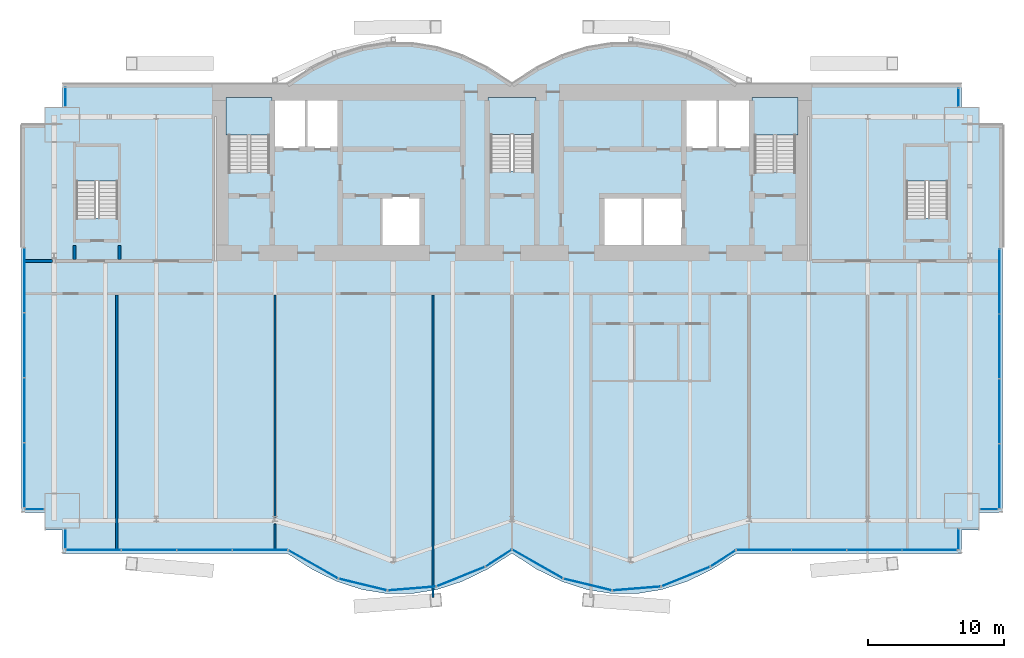
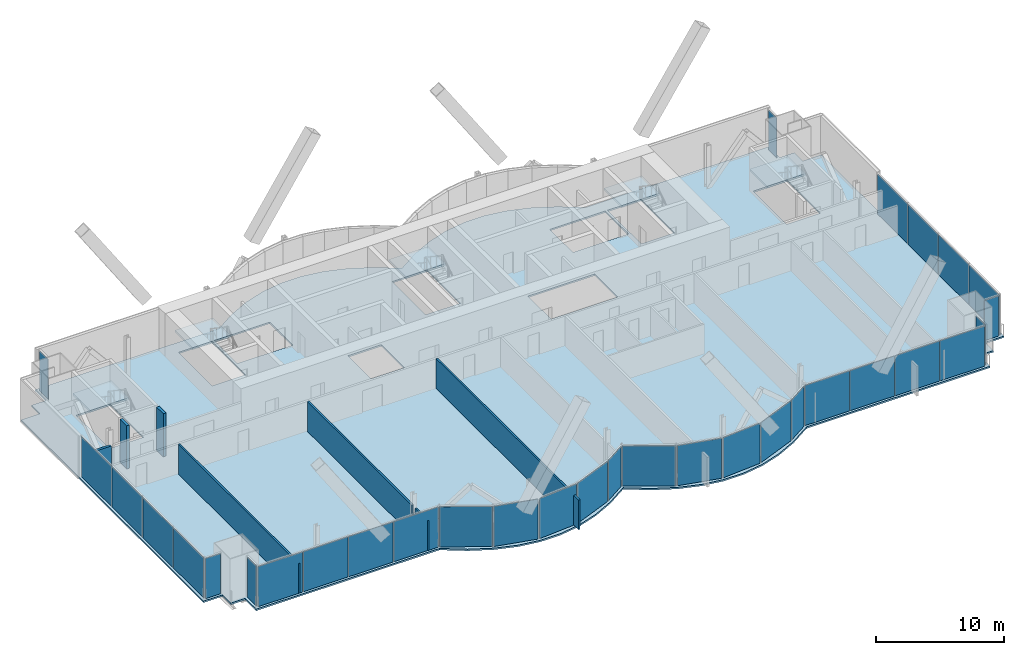
# One storey, part 15 of 22: 32 plates, 7 walls, 6 slabs, 17 elements without a shape of their own.
"""IFC4 building model written with IfcOpenShell, lengths in metres."""

import ifcopenshell
import ifcopenshell.guid

model = None  # the IFC model being written
_history = None  # IfcOwnerHistory: only IFC2X3 demands one
_inside = {}  # id of a spatial element -> (the spatial element, [elements in it])
_under = {}  # id of a project, library or spatial element -> (it, [spatial elements below it])
_declared = {}  # id of a project -> (the project, [libraries it declares])
_typed = {}  # id of a type object -> (the type object, [elements of that type])
_made_of = {}  # id of a material, layer set ... -> (it, [elements and type objects made of it])


def new_model(schema):
    """Start an empty IFC model of exactly this schema.

    Asked for "IFC4X3", IfcOpenShell would pick the latest addendum, in which some entities
    have other attributes; the version numbers below select the first issue.
    IFC2X3 requires an IfcOwnerHistory on every rooted entity: one is made here for all.
    """
    global model, _history
    if schema == "IFC4X3":
        model = ifcopenshell.file(schema_version=(4, 3, 0, 0))
    else:
        model = ifcopenshell.file(schema=schema)
    _inside.clear()
    _under.clear()
    _declared.clear()
    _typed.clear()
    _made_of.clear()
    _history = None
    if model.schema == "IFC2X3":
        org = make("IfcOrganization", Name="unknown")
        user = make(
            "IfcPersonAndOrganization",
            ThePerson=make("IfcPerson", FamilyName="unknown"),
            TheOrganization=org,
        )
        app = make(
            "IfcApplication",
            ApplicationDeveloper=org,
            Version="unknown",
            ApplicationFullName="unknown",
            ApplicationIdentifier="unknown",
        )
        _history = make(
            "IfcOwnerHistory",
            OwningUser=user,
            OwningApplication=app,
            ChangeAction="ADDED",
            CreationDate=0,
        )
    return model


def make(cls, **values):
    """One entity of the class cls with the attributes given. An attribute that is None is left unset."""
    return model.create_entity(
        cls, **{name: value for name, value in values.items() if value is not None}
    )


def rooted(cls, **values):
    """An entity with a GlobalId (a new one), such as an element, a storey or a relation."""
    return make(cls, GlobalId=ifcopenshell.guid.new(), OwnerHistory=_history, **values)


def si_unit(unit_type, name, prefix=None):
    """IfcSIUnit, for example si_unit("LENGTHUNIT", "METRE", prefix="MILLI")."""
    return make("IfcSIUnit", UnitType=unit_type, Prefix=prefix, Name=name)


def assignment(units):
    """IfcUnitAssignment: the units of a project."""
    return None if units is None else make("IfcUnitAssignment", Units=units)


def point(xyz):
    """IfcCartesianPoint."""
    return None if xyz is None else make("IfcCartesianPoint", Coordinates=xyz)


def direction(xyz):
    """IfcDirection."""
    return None if xyz is None else make("IfcDirection", DirectionRatios=xyz)


def frame(location, z_axis=None, x_axis=None):
    """IfcAxis2Placement3D, a coordinate frame: its origin and axes. An axis left out is left unset."""
    return make(
        "IfcAxis2Placement3D",
        Location=point(location),
        Axis=direction(z_axis),
        RefDirection=direction(x_axis),
    )


def frame_2d(location, x_axis=None):
    """IfcAxis2Placement2D, a coordinate frame in the plane: its origin and x axis."""
    return make(
        "IfcAxis2Placement2D", Location=point(location), RefDirection=direction(x_axis)
    )


def origin():
    """The frame at (0, 0, 0) with its axes left unset."""
    return frame((0.0, 0.0, 0.0))


def origin_2d():
    """The frame at (0, 0) in the plane with its x axis left unset."""
    return frame_2d((0.0, 0.0))


def place(relative_to, where):
    """IfcLocalPlacement: puts the frame where relative to a parent placement (None: the world)."""
    return make(
        "IfcLocalPlacement", PlacementRelTo=relative_to, RelativePlacement=where
    )


def context(
    kind, dimensions, precision=None, world=None, true_north=None, identifier=None
):
    """IfcGeometricRepresentationContext, for example the 3D "Model" context."""
    return make(
        "IfcGeometricRepresentationContext",
        ContextIdentifier=identifier,
        ContextType=kind,
        CoordinateSpaceDimension=dimensions,
        Precision=precision,
        WorldCoordinateSystem=world,
        TrueNorth=true_north,
    )


def subcontext(parent, identifier, kind, view, scale=None):
    """IfcGeometricRepresentationSubContext, for example "Body" below "Model"."""
    return make(
        "IfcGeometricRepresentationSubContext",
        ContextIdentifier=identifier,
        ContextType=kind,
        ParentContext=parent,
        TargetScale=scale,
        TargetView=view,
    )


def project(units=None, contexts=None):
    """IfcProject with its units and contexts."""
    return rooted(
        "IfcProject",
        Name="project",
        RepresentationContexts=contexts,
        UnitsInContext=assignment(units),
    )


def spatial(cls, under=None, at=None, **own):
    """A site, building, storey or space (cls), placed at a placement, below another one or the project."""
    s = rooted(cls, ObjectPlacement=at, **own)
    if under is not None:
        _under.setdefault(under.id(), (under, []))[1].append(s)
    return s


def polyline(points):
    """IfcPolyline through the points."""
    return make("IfcPolyline", Points=[point(p) for p in points])


def profile(cls, at=None, kind="AREA", **sizes):
    """A parametric profile (cls). Its sizes go by their IFC names, for example OverallWidth=200.0."""
    return make(cls, ProfileType=kind, Position=at, **sizes)


def rectangle(**sizes):
    """IfcRectangleProfileDef."""
    return profile("IfcRectangleProfileDef", **sizes)


def outline(outer, holes=None, kind="AREA"):
    """IfcArbitraryClosedProfileDef: a profile drawn as a closed curve; with holes, ...WithVoids."""
    if holes is None:
        return make("IfcArbitraryClosedProfileDef", ProfileType=kind, OuterCurve=outer)
    return make(
        "IfcArbitraryProfileDefWithVoids",
        ProfileType=kind,
        OuterCurve=outer,
        InnerCurves=holes,
    )


def extrude(swept, where, along, depth):
    """IfcExtrudedAreaSolid: the profile swept, set in the frame where, extruded along a direction by depth."""
    return make(
        "IfcExtrudedAreaSolid",
        SweptArea=swept,
        Position=where,
        ExtrudedDirection=direction(along),
        Depth=depth,
    )


def shape(context_of_items, identifier, shape_type, items):
    """IfcShapeRepresentation: the items that make up one representation, for example the "Body"."""
    return make(
        "IfcShapeRepresentation",
        ContextOfItems=context_of_items,
        RepresentationIdentifier=identifier,
        RepresentationType=shape_type,
        Items=items,
    )


def material(Name=None, Category=None):
    """IfcMaterial."""
    return make("IfcMaterial", Name=Name, Category=Category)


def layer(
    of_material, thickness, ventilated=None, Name=None, Category=None, Priority=None
):
    """IfcMaterialLayer: one layer of a wall or slab, of a material (None: an air gap)."""
    return make(
        "IfcMaterialLayer",
        Material=of_material,
        LayerThickness=thickness,
        IsVentilated=ventilated,
        Name=Name,
        Category=Category,
        Priority=Priority,
    )


def layer_set(layers, Name=None):
    """IfcMaterialLayerSet."""
    return make("IfcMaterialLayerSet", MaterialLayers=layers, LayerSetName=Name)


def made_of(thing, what):
    """Note that an element or type object is made of a material, layer set ...; save() writes the relation."""
    if what is not None:
        _made_of.setdefault(what.id(), (what, []))[1].append(thing)
    return thing


def type_object(cls, material=None, **own):
    """A type object (cls), such as IfcWallType, which elements share."""
    return made_of(rooted(cls, **own), material)


def element(
    cls,
    number,
    at=None,
    inside=None,
    cuts=None,
    type_object=None,
    material=None,
    context=None,
    identifier="Body",
    shape_type=None,
    held_by="IfcProductDefinitionShape",
    body=None,
    shapes=None,
    **own,
):
    """One element of the class cls, such as IfcWall. Its Tag is "e" and its number.

    at: its placement. inside: the storey or other place that contains it. cuts: it is an
    opening in that element (IfcRelVoidsElement). A single representation is given by context,
    identifier, shape_type and body (its items); several are given by shapes. held_by: the class
    of the entity that holds the representations. save() writes the other relations.
    """
    e = rooted(cls, Tag="e%d" % number, ObjectPlacement=at, **own)
    if body is not None:
        shapes = [shape(context, identifier, shape_type, body)]
    if shapes is not None:
        e.Representation = make(held_by, Representations=shapes)
    if inside is not None:
        _inside.setdefault(inside.id(), (inside, []))[1].append(e)
    if cuts is not None:
        rooted(
            "IfcRelVoidsElement", RelatingBuildingElement=cuts, RelatedOpeningElement=e
        )
    if type_object is not None:
        _typed.setdefault(type_object.id(), (type_object, []))[1].append(e)
    return made_of(e, material)


def aggregate(whole, parts):
    """IfcRelAggregates: a whole, such as a stair, and the parts it consists of."""
    return rooted("IfcRelAggregates", RelatingObject=whole, RelatedObjects=parts)


def save(model, path):
    """Write the relations noted so far, then the file.

    IfcRelAggregates (storeys below a building ...), IfcRelContainedInSpatialStructure (elements
    in a storey), IfcRelDefinesByType, IfcRelAssociatesMaterial and IfcRelDeclares: one each for
    every whole, place, type object, material and project.
    """
    for whole, parts in _under.values():
        aggregate(whole, parts)
    for where, things in _inside.values():
        rooted(
            "IfcRelContainedInSpatialStructure",
            RelatedElements=things,
            RelatingStructure=where,
        )
    for kind, things in _typed.values():
        rooted("IfcRelDefinesByType", RelatedObjects=things, RelatingType=kind)
    for what, things in _made_of.values():
        rooted("IfcRelAssociatesMaterial", RelatedObjects=things, RelatingMaterial=what)
    for by, libraries in _declared.values():
        rooted("IfcRelDeclares", RelatingContext=by, RelatedDefinitions=libraries)
    model.write(path)


model = new_model("IFC4")

# Units and contexts
model_context = context("Model", 3, precision=1e-05, world=origin(), true_north=direction((0.0, 1.0)))
body_context = subcontext(model_context, "Body", "Model", "MODEL_VIEW")
ifc_project = project(units=[si_unit("LENGTHUNIT", "METRE"), si_unit("AREAUNIT", "SQUARE_METRE"), si_unit("VOLUMEUNIT", "CUBIC_METRE"), si_unit("PLANEANGLEUNIT", "RADIAN"), si_unit("MASSUNIT", "GRAM", prefix="KILO")], contexts=[model_context])

# Site, building, storey
site_placement = place(None, origin())
site = spatial("IfcSite", under=ifc_project, at=site_placement, CompositionType="ELEMENT")
building_placement = place(site_placement, origin())
building = spatial("IfcBuilding", under=site, at=building_placement, Name="Bicima Exchange Tower", CompositionType="ELEMENT")
storey_placement = place(building_placement, frame((0.0, 0.0, 169.10009765625)))
storey = spatial("IfcBuildingStorey", under=building, at=storey_placement, Name="L37", CompositionType="ELEMENT", Elevation=169.10009765625)

# Slab
ifc_material_1 = material(Name="Concrete C40/50", Category="concrete")
ifc_layer_1 = layer(ifc_material_1, 0.14990234375)
ifc_layer_set_1 = layer_set([ifc_layer_1], Name="Concrete C40/50")
slab_type_1 = type_object("IfcSlabType", Name="Composite floor slab 150", PredefinedType="FLOOR", material=ifc_layer_set_1)
slab_1_placement = place(storey_placement, frame((0.0, 0.0, -0.150146484375)))
element("IfcSlab", 1, at=slab_1_placement, inside=storey, type_object=slab_type_1, Name="Floor slab", PredefinedType="FLOOR", context=body_context, shape_type="SweptSolid", body=[
    extrude(outline(polyline([(-36.0, -31.43603515625), (-36.0, -3.0), (-34.300048828125, -3.0), (-34.300048828125, -1.699951171875), (-33.0, -1.699951171875), (-33.0, 0.0), (-16.5, 0.0), (-14.666748046875, 1.185302734375), (-12.833251953125, 2.07421875), (-11.0, 2.666748046875), (-9.166748046875, 2.962890625), (-7.333251953125, 2.962890625), (-5.5, 2.666748046875), (-3.666748046875, 2.07421875), (-1.833251953125, 1.185302734375), (0.0, 0.0), (1.833251953125, 1.185302734375), (3.666748046875, 2.07421875), (5.5, 2.666748046875), (7.333251953125, 2.962890625), (9.166748046875, 2.962890625), (11.0, 2.666748046875), (12.833251953125, 2.07421875), (14.666748046875, 1.185302734375), (16.5, 0.0), (33.0, 0.0), (33.0, -1.699951171875), (34.300048828125, -1.699951171875), (34.300048828125, -3.0), (36.0, -3.0), (36.0, -31.43603515625), (34.300048828125, -31.43603515625), (34.300048828125, -32.736083984375), (33.0, -32.736083984375), (33.0, -34.43603515625), (16.5, -34.43603515625), (14.666748046875, -35.62109375), (12.833251953125, -36.510009765625), (11.0, -37.102783203125), (9.166748046875, -37.39892578125), (7.333251953125, -37.39892578125), (5.5, -37.102783203125), (3.666748046875, -36.510009765625), (1.833251953125, -35.62109375), (0.0, -34.43603515625), (-1.833251953125, -35.62109375), (-3.666748046875, -36.510009765625), (-5.5, -37.102783203125), (-7.333251953125, -37.39892578125), (-9.166748046875, -37.39892578125), (-11.0, -37.102783203125), (-12.833251953125, -36.510009765625), (-14.666748046875, -35.62109375), (-16.5, -34.43603515625), (-33.0, -34.43603515625), (-33.0, -32.736083984375), (-34.300048828125, -32.736083984375), (-34.300048828125, -31.43603515625), (-36.0, -31.43603515625)]), holes=[polyline([(-6.60009765625, -11.800048828125), (-6.60009765625, -8.199951171875), (-9.60009765625, -8.199951171875), (-9.60009765625, -11.800048828125), (-6.60009765625, -11.800048828125)]), polyline([(-31.97509765625, -9.824951171875), (-28.925048828125, -9.824951171875), (-28.925048828125, -4.625), (-31.97509765625, -4.625), (-31.97509765625, -9.824951171875)]), polyline([(-20.800048828125, -6.449951171875), (-17.800048828125, -6.449951171875), (-17.800048828125, -1.199951171875), (-20.800048828125, -1.199951171875), (-20.800048828125, -6.449951171875)]), polyline([(1.574951171875, -6.39990234375), (1.574951171875, -1.199951171875), (-1.574951171875, -1.199951171875), (-1.574951171875, -6.39990234375), (1.574951171875, -6.39990234375)]), polyline([(-12.60009765625, -4.800048828125), (-12.60009765625, -1.199951171875), (-15.10009765625, -1.199951171875), (-17.60009765625, -1.199951171875), (-17.60009765625, -4.800048828125), (-15.10009765625, -4.800048828125), (-12.60009765625, -4.800048828125)]), polyline([(12.60009765625, -8.199951171875), (9.60009765625, -8.199951171875), (6.60009765625, -8.199951171875), (6.60009765625, -11.800048828125), (9.60009765625, -11.800048828125), (12.60009765625, -11.800048828125), (12.60009765625, -8.199951171875)]), polyline([(28.925048828125, -9.824951171875), (31.97509765625, -9.824951171875), (31.97509765625, -4.625), (28.925048828125, -4.625), (28.925048828125, -9.824951171875)]), polyline([(20.800048828125, -6.449951171875), (20.800048828125, -1.199951171875), (17.800048828125, -1.199951171875), (17.800048828125, -6.449951171875), (20.800048828125, -6.449951171875)]), polyline([(17.60009765625, -4.800048828125), (17.60009765625, -1.199951171875), (15.10009765625, -1.199951171875), (12.60009765625, -1.199951171875), (12.60009765625, -4.800048828125), (15.10009765625, -4.800048828125), (17.60009765625, -4.800048828125)])]), origin(), (0.0, 0.0, 1.0), 0.150146484375),
])

# Curtain wall, plate
ifc_material_2 = material(Name="Anodised bronze aluminium", Category="aluminium")
curtain_wall_type_1 = type_object("IfcCurtainWallType", Name="End face glass wall", PredefinedType="NOTDEFINED", material=ifc_material_2)
curtain_wall_1_placement = place(storey_placement, origin())
curtain_wall_1 = element("IfcCurtainWall", 2, at=curtain_wall_1_placement, inside=storey, type_object=curtain_wall_type_1, Name="End face glass wall L37 run 2", PredefinedType="NOTDEFINED")
ifc_material_3 = material(Name="Bronze tinted glass", Category="glass")
ifc_layer_2 = layer(ifc_material_3, 0.031982421875)
ifc_layer_set_2 = layer_set([ifc_layer_2], Name="Bronze tinted glass")
plate_type_1 = type_object("IfcPlateType", Name="End face glass wall glass panel 32", PredefinedType="CURTAIN_PANEL", material=ifc_layer_set_2)
plate_1_placement = place(storey_placement, frame((-35.77001953125, -28.712646484375, -0.000244140625), z_axis=(0.0, 0.0, 1.0), x_axis=(0.0, -1.0, 0.0)))
plate_1 = element("IfcPlate", 3, at=plate_1_placement, type_object=plate_type_1, Name="End face glass wall panel 4.1", PredefinedType="CURTAIN_PANEL", context=body_context, shape_type="SweptSolid", body=[
    extrude(rectangle(XDim=4.70654296875, YDim=0.031982421875, at=origin_2d()), origin(), (0.0, 0.0, 1.0), 3.81005859375),
])

curtain_wall_2_placement = place(storey_placement, origin())
curtain_wall_2 = element("IfcCurtainWall", 4, at=curtain_wall_2_placement, inside=storey, type_object=curtain_wall_type_1, Name="End face glass wall L37 run 19", PredefinedType="NOTDEFINED")
plate_2_placement = place(storey_placement, frame((35.77001953125, -28.792724609375, -0.000244140625), z_axis=(0.0, 0.0, 1.0), x_axis=(0.0, 1.0, 0.0)))
plate_2 = element("IfcPlate", 5, at=plate_2_placement, type_object=plate_type_1, Name="End face glass wall panel 1.1", PredefinedType="CURTAIN_PANEL", context=body_context, shape_type="SweptSolid", body=[
    extrude(rectangle(XDim=4.70654296875, YDim=0.031982421875, at=origin_2d()), origin(), (0.0, 0.0, 1.0), 3.81005859375),
])

# Plate
ifc_material_4 = material(Name="Bronze anodised aluminium", Category="aluminium")
ifc_layer_3 = layer(ifc_material_4, 0.031982421875)
ifc_layer_set_3 = layer_set([ifc_layer_3], Name="Bronze anodised aluminium")
plate_type_2 = type_object("IfcPlateType", Name="End face glass wall spandrel panel 32", PredefinedType="CURTAIN_PANEL", material=ifc_layer_set_3)
plate_3_placement = place(storey_placement, frame((-35.77001953125, -14.4130859375, -0.000244140625), z_axis=(0.0, 0.0, 1.0), x_axis=(0.0, -1.0, 0.0)))
plate_3 = element("IfcPlate", 6, at=plate_3_placement, type_object=plate_type_2, Name="End face spandrel wall panel 1.1", PredefinedType="CURTAIN_PANEL", context=body_context, shape_type="SweptSolid", body=[
    extrude(rectangle(XDim=4.70654296875, YDim=0.031982421875, at=origin_2d()), origin(), (0.0, 0.0, 1.0), 3.81005859375),
])

plate_4_placement = place(storey_placement, frame((-35.77001953125, -19.1796875, -0.000244140625), z_axis=(0.0, 0.0, 1.0), x_axis=(0.0, -1.0, 0.0)))
plate_4 = element("IfcPlate", 7, at=plate_4_placement, type_object=plate_type_2, Name="End face spandrel wall panel 2.1", PredefinedType="CURTAIN_PANEL", context=body_context, shape_type="SweptSolid", body=[
    extrude(rectangle(XDim=4.70654296875, YDim=0.031982421875, at=origin_2d()), origin(), (0.0, 0.0, 1.0), 3.81005859375),
])

plate_5_placement = place(storey_placement, frame((-35.77001953125, -23.9462890625, -0.000244140625), z_axis=(0.0, 0.0, 1.0), x_axis=(0.0, -1.0, 0.0)))
plate_5 = element("IfcPlate", 8, at=plate_5_placement, type_object=plate_type_2, Name="End face spandrel wall panel 3.1", PredefinedType="CURTAIN_PANEL", context=body_context, shape_type="SweptSolid", body=[
    extrude(rectangle(XDim=4.70654296875, YDim=0.031982421875, at=origin_2d()), origin(), (0.0, 0.0, 1.0), 3.81005859375),
])

aggregate(curtain_wall_1, [plate_3, plate_4, plate_5, plate_1])

plate_6_placement = place(storey_placement, frame((35.77001953125, -24.0263671875, -0.000244140625), z_axis=(0.0, 0.0, 1.0), x_axis=(0.0, 1.0, 0.0)))
plate_6 = element("IfcPlate", 9, at=plate_6_placement, type_object=plate_type_2, Name="End face spandrel wall panel 2.1", PredefinedType="CURTAIN_PANEL", context=body_context, shape_type="SweptSolid", body=[
    extrude(rectangle(XDim=4.70654296875, YDim=0.031982421875, at=origin_2d()), origin(), (0.0, 0.0, 1.0), 3.81005859375),
])

plate_7_placement = place(storey_placement, frame((35.77001953125, -19.259765625, -0.000244140625), z_axis=(0.0, 0.0, 1.0), x_axis=(0.0, 1.0, 0.0)))
plate_7 = element("IfcPlate", 10, at=plate_7_placement, type_object=plate_type_2, Name="End face spandrel wall panel 3.1", PredefinedType="CURTAIN_PANEL", context=body_context, shape_type="SweptSolid", body=[
    extrude(rectangle(XDim=4.70654296875, YDim=0.031982421875, at=origin_2d()), origin(), (0.0, 0.0, 1.0), 3.81005859375),
])

plate_8_placement = place(storey_placement, frame((35.77001953125, -14.493408203125, -0.000244140625), z_axis=(0.0, 0.0, 1.0), x_axis=(0.0, 1.0, 0.0)))
plate_8 = element("IfcPlate", 11, at=plate_8_placement, type_object=plate_type_2, Name="End face spandrel wall panel 4.1", PredefinedType="CURTAIN_PANEL", context=body_context, shape_type="SweptSolid", body=[
    extrude(rectangle(XDim=4.70654296875, YDim=0.031982421875, at=origin_2d()), origin(), (0.0, 0.0, 1.0), 3.81005859375),
])

aggregate(curtain_wall_2, [plate_2, plate_6, plate_7, plate_8])

# Curtain wall, plate
curtain_wall_type_2 = type_object("IfcCurtainWallType", Name="Front glass wall", PredefinedType="NOTDEFINED", material=ifc_material_2)
curtain_wall_3_placement = place(storey_placement, origin())
curtain_wall_3 = element("IfcCurtainWall", 12, at=curtain_wall_3_placement, inside=storey, type_object=curtain_wall_type_2, Name="Front glass wall L37 run 1", PredefinedType="NOTDEFINED")
ifc_layer_4 = layer(ifc_material_3, 0.031982421875)
ifc_layer_set_4 = layer_set([ifc_layer_4], Name="Bronze tinted glass")
plate_type_3 = type_object("IfcPlateType", Name="Front glass wall glass panel 32", PredefinedType="CURTAIN_PANEL", material=ifc_layer_set_4)
plate_9_placement = place(storey_placement, frame((-32.77001953125, -0.965087890625, -0.000244140625), z_axis=(0.0, 0.0, 1.0), x_axis=(0.0, -1.0, 0.0)))
plate_9 = element("IfcPlate", 13, at=plate_9_placement, type_object=plate_type_3, Name="Front glass wall panel 1.1", PredefinedType="CURTAIN_PANEL", context=body_context, shape_type="SweptSolid", body=[
    extrude(rectangle(XDim=1.35009765625, YDim=0.031982421875, at=origin_2d()), origin(), (0.0, 0.0, 1.0), 3.81005859375),
])
aggregate(curtain_wall_3, [plate_9])

curtain_wall_4_placement = place(storey_placement, origin())
curtain_wall_4 = element("IfcCurtainWall", 14, at=curtain_wall_4_placement, inside=storey, type_object=curtain_wall_type_2, Name="Front glass wall L37 run 3", PredefinedType="NOTDEFINED")
plate_10_placement = place(storey_placement, frame((-35.034912109375, -31.2060546875, -0.000244140625), z_axis=(0.0, 0.0, 1.0), x_axis=(1.0, 0.0, 0.0)))
plate_10 = element("IfcPlate", 15, at=plate_10_placement, type_object=plate_type_3, Name="Front glass wall panel 1.1", PredefinedType="CURTAIN_PANEL", context=body_context, shape_type="SweptSolid", body=[
    extrude(rectangle(XDim=1.35009765625, YDim=0.031982421875, at=origin_2d()), origin(), (0.0, 0.0, 1.0), 3.81005859375),
])
aggregate(curtain_wall_4, [plate_10])

curtain_wall_5_placement = place(storey_placement, origin())
curtain_wall_5 = element("IfcCurtainWall", 16, at=curtain_wall_5_placement, inside=storey, type_object=curtain_wall_type_2, Name="Front glass wall L37 run 4", PredefinedType="NOTDEFINED")
plate_11_placement = place(storey_placement, frame((-32.77001953125, -33.3701171875, -0.000244140625), z_axis=(0.0, 0.0, 1.0), x_axis=(0.0, -1.0, 0.0)))
plate_11 = element("IfcPlate", 17, at=plate_11_placement, type_object=plate_type_3, Name="Front glass wall panel 1.1", PredefinedType="CURTAIN_PANEL", context=body_context, shape_type="SweptSolid", body=[
    extrude(rectangle(XDim=1.39208984375, YDim=0.031982421875, at=origin_2d()), origin(), (0.0, 0.0, 1.0), 3.81005859375),
])
aggregate(curtain_wall_5, [plate_11])

# Curtain wall, plates
curtain_wall_6_placement = place(storey_placement, origin())
curtain_wall_6 = element("IfcCurtainWall", 18, at=curtain_wall_6_placement, inside=storey, type_object=curtain_wall_type_2, Name="Front glass wall L37 run 5", PredefinedType="NOTDEFINED")
plate_12_placement = place(storey_placement, frame((-30.705322265625, -34.2060546875, -0.000244140625), z_axis=(0.0, 0.0, 1.0), x_axis=(1.0, 0.0, 0.0)))
plate_12 = element("IfcPlate", 19, at=plate_12_placement, type_object=plate_type_3, Name="Front glass wall panel 1.1", PredefinedType="CURTAIN_PANEL", context=body_context, shape_type="SweptSolid", body=[
    extrude(rectangle(XDim=4.009521484375, YDim=0.031982421875, at=origin_2d()), origin(), (0.0, 0.0, 1.0), 3.81005859375),
])
plate_13_placement = place(storey_placement, frame((-26.6357421875, -34.2060546875, -0.000244140625), z_axis=(0.0, 0.0, 1.0), x_axis=(1.0, 0.0, 0.0)))
plate_13 = element("IfcPlate", 20, at=plate_13_placement, type_object=plate_type_3, Name="Front glass wall panel 2.1", PredefinedType="CURTAIN_PANEL", context=body_context, shape_type="SweptSolid", body=[
    extrude(rectangle(XDim=4.009521484375, YDim=0.031982421875, at=origin_2d()), origin(), (0.0, 0.0, 1.0), 3.81005859375),
])

curtain_wall_7_placement = place(storey_placement, origin())
curtain_wall_7 = element("IfcCurtainWall", 21, at=curtain_wall_7_placement, inside=storey, type_object=curtain_wall_type_2, Name="Front glass wall L37 run 6", PredefinedType="NOTDEFINED")
plate_14_placement = place(storey_placement, frame((-7.35107421875, -37.023681640625, -0.000244140625), z_axis=(0.0, 0.0, 1.0), x_axis=(0.99674744821, 0.080588612633, 0.0)))
plate_14 = element("IfcPlate", 22, at=plate_14_placement, type_object=plate_type_3, Name="Front glass wall panel 1.1", PredefinedType="CURTAIN_PANEL", context=body_context, shape_type="SweptSolid", body=[
    extrude(rectangle(XDim=3.486083984375, YDim=0.031982421875, at=origin_2d()), origin(), (0.0, 0.0, 1.0), 3.81005859375),
])
plate_15_placement = place(storey_placement, frame((-3.750244140625, -36.1494140625, -0.000244140625), z_axis=(0.0, 0.0, 1.0), x_axis=(0.92714396679, 0.374705304, 0.0)))
plate_15 = element("IfcPlate", 23, at=plate_15_placement, type_object=plate_type_3, Name="Front glass wall panel 1.1", PredefinedType="CURTAIN_PANEL", context=body_context, shape_type="SweptSolid", body=[
    extrude(rectangle(XDim=3.771240234375, YDim=0.031982421875, at=origin_2d()), origin(), (0.0, 0.0, 1.0), 3.81005859375),
])
plate_16_placement = place(storey_placement, frame((-0.97314453125, -34.791259765625, -0.000244140625), z_axis=(0.0, 0.0, 1.0), x_axis=(0.839798994301, 0.542897457326, 0.0)))
plate_16 = element("IfcPlate", 24, at=plate_16_placement, type_object=plate_type_3, Name="Front glass wall panel 1.1", PredefinedType="CURTAIN_PANEL", context=body_context, shape_type="SweptSolid", body=[
    extrude(rectangle(XDim=2.197509765625, YDim=0.031982421875, at=origin_2d()), origin(), (0.0, 0.0, 1.0), 3.81005859375),
])

curtain_wall_8_placement = place(storey_placement, origin())
curtain_wall_8 = element("IfcCurtainWall", 25, at=curtain_wall_8_placement, inside=storey, type_object=curtain_wall_type_2, Name="Front glass wall L37 run 11", PredefinedType="NOTDEFINED")
plate_17_placement = place(storey_placement, frame((1.876220703125, -35.229248046875, -0.000244140625), z_axis=(0.0, 0.0, 1.0), x_axis=(0.869274147378, -0.494330311331, 0.0)))
plate_17 = element("IfcPlate", 26, at=plate_17_placement, type_object=plate_type_3, Name="Front glass wall panel 1.1", PredefinedType="CURTAIN_PANEL", context=body_context, shape_type="SweptSolid", body=[
    extrude(rectangle(XDim=4.197021484375, YDim=0.031982421875, at=origin_2d()), origin(), (0.0, 0.0, 1.0), 3.81005859375),
])
plate_18_placement = place(storey_placement, frame((5.55224609375, -36.732666015625, -0.000244140625), z_axis=(0.0, 0.0, 1.0), x_axis=(0.971830343553, -0.235681529503, 0.0)))
plate_18 = element("IfcPlate", 27, at=plate_18_placement, type_object=plate_type_3, Name="Front glass wall panel 1.1", PredefinedType="CURTAIN_PANEL", context=body_context, shape_type="SweptSolid", body=[
    extrude(rectangle(XDim=3.583251953125, YDim=0.031982421875, at=origin_2d()), origin(), (0.0, 0.0, 1.0), 3.81005859375),
])
plate_19_placement = place(storey_placement, frame((9.14892578125, -37.023681640625, -0.000244140625), z_axis=(0.0, 0.0, 1.0), x_axis=(0.99674744821, 0.080588612633, 0.0)))
plate_19 = element("IfcPlate", 28, at=plate_19_placement, type_object=plate_type_3, Name="Front glass wall panel 1.1", PredefinedType="CURTAIN_PANEL", context=body_context, shape_type="SweptSolid", body=[
    extrude(rectangle(XDim=3.486083984375, YDim=0.031982421875, at=origin_2d()), origin(), (0.0, 0.0, 1.0), 3.81005859375),
])
plate_20_placement = place(storey_placement, frame((15.492919921875, -34.813232421875, -0.000244140625), z_axis=(0.0, 0.0, 1.0), x_axis=(0.839791413941, 0.542909183079, 0.0)))
plate_20 = element("IfcPlate", 29, at=plate_20_placement, type_object=plate_type_3, Name="Front glass wall panel 1.1", PredefinedType="CURTAIN_PANEL", context=body_context, shape_type="SweptSolid", body=[
    extrude(rectangle(XDim=2.11669921875, YDim=0.031982421875, at=origin_2d()), origin(), (0.0, 0.0, 1.0), 3.81005859375),
])

curtain_wall_9_placement = place(storey_placement, origin())
curtain_wall_9 = element("IfcCurtainWall", 30, at=curtain_wall_9_placement, inside=storey, type_object=curtain_wall_type_2, Name="Front glass wall L37 run 16", PredefinedType="NOTDEFINED")
plate_21_placement = place(storey_placement, frame((26.585693359375, -34.2060546875, -0.000244140625), z_axis=(0.0, 0.0, 1.0), x_axis=(1.0, 0.0, 0.0)))
plate_21 = element("IfcPlate", 31, at=plate_21_placement, type_object=plate_type_3, Name="Front glass wall panel 3.1", PredefinedType="CURTAIN_PANEL", context=body_context, shape_type="SweptSolid", body=[
    extrude(rectangle(XDim=3.989501953125, YDim=0.031982421875, at=origin_2d()), origin(), (0.0, 0.0, 1.0), 3.81005859375),
])
plate_22_placement = place(storey_placement, frame((30.63525390625, -34.2060546875, -0.000244140625), z_axis=(0.0, 0.0, 1.0), x_axis=(1.0, 0.0, 0.0)))
plate_22 = element("IfcPlate", 32, at=plate_22_placement, type_object=plate_type_3, Name="Front glass wall panel 4.1", PredefinedType="CURTAIN_PANEL", context=body_context, shape_type="SweptSolid", body=[
    extrude(rectangle(XDim=3.989501953125, YDim=0.031982421875, at=origin_2d()), origin(), (0.0, 0.0, 1.0), 3.81005859375),
])

# Curtain wall, plate
curtain_wall_10_placement = place(storey_placement, origin())
curtain_wall_10 = element("IfcCurtainWall", 33, at=curtain_wall_10_placement, inside=storey, type_object=curtain_wall_type_2, Name="Front glass wall L37 run 17", PredefinedType="NOTDEFINED")
plate_23_placement = place(storey_placement, frame((32.77001953125, -33.409912109375, -0.000244140625), z_axis=(0.0, 0.0, 1.0), x_axis=(0.0, 1.0, 0.0)))
plate_23 = element("IfcPlate", 34, at=plate_23_placement, type_object=plate_type_3, Name="Front glass wall panel 1.1", PredefinedType="CURTAIN_PANEL", context=body_context, shape_type="SweptSolid", body=[
    extrude(rectangle(XDim=1.471923828125, YDim=0.031982421875, at=origin_2d()), origin(), (0.0, 0.0, 1.0), 3.81005859375),
])
aggregate(curtain_wall_10, [plate_23])

curtain_wall_11_placement = place(storey_placement, origin())
curtain_wall_11 = element("IfcCurtainWall", 35, at=curtain_wall_11_placement, inside=storey, type_object=curtain_wall_type_2, Name="Front glass wall L37 run 18", PredefinedType="NOTDEFINED")
plate_24_placement = place(storey_placement, frame((34.9951171875, -31.2060546875, -0.000244140625), z_axis=(0.0, 0.0, 1.0), x_axis=(1.0, 0.0, 0.0)))
plate_24 = element("IfcPlate", 36, at=plate_24_placement, type_object=plate_type_3, Name="Front glass wall panel 1.1", PredefinedType="CURTAIN_PANEL", context=body_context, shape_type="SweptSolid", body=[
    extrude(rectangle(XDim=1.27001953125, YDim=0.031982421875, at=origin_2d()), origin(), (0.0, 0.0, 1.0), 3.81005859375),
])
aggregate(curtain_wall_11, [plate_24])

curtain_wall_12_placement = place(storey_placement, origin())
curtain_wall_12 = element("IfcCurtainWall", 37, at=curtain_wall_12_placement, inside=storey, type_object=curtain_wall_type_2, Name="Front glass wall L37 run 20", PredefinedType="NOTDEFINED")
plate_25_placement = place(storey_placement, frame((32.77001953125, -1.0048828125, -0.000244140625), z_axis=(0.0, 0.0, 1.0), x_axis=(0.0, 1.0, 0.0)))
plate_25 = element("IfcPlate", 38, at=plate_25_placement, type_object=plate_type_3, Name="Front glass wall panel 1.1", PredefinedType="CURTAIN_PANEL", context=body_context, shape_type="SweptSolid", body=[
    extrude(rectangle(XDim=1.27001953125, YDim=0.031982421875, at=origin_2d()), origin(), (0.0, 0.0, 1.0), 3.81005859375),
])
aggregate(curtain_wall_12, [plate_25])

# Plate
ifc_layer_5 = layer(ifc_material_4, 0.031982421875)
ifc_layer_set_5 = layer_set([ifc_layer_5], Name="Bronze anodised aluminium")
plate_type_4 = type_object("IfcPlateType", Name="Front glass wall spandrel panel 32", PredefinedType="CURTAIN_PANEL", material=ifc_layer_set_5)
plate_26_placement = place(storey_placement, frame((-22.56640625, -34.2060546875, -0.000244140625), z_axis=(0.0, 0.0, 1.0), x_axis=(1.0, 0.0, 0.0)))
plate_26 = element("IfcPlate", 39, at=plate_26_placement, type_object=plate_type_4, Name="Front spandrel wall panel 3.1", PredefinedType="CURTAIN_PANEL", context=body_context, shape_type="SweptSolid", body=[
    extrude(rectangle(XDim=4.009521484375, YDim=0.031982421875, at=origin_2d()), origin(), (0.0, 0.0, 1.0), 3.81005859375),
])

plate_27_placement = place(storey_placement, frame((-18.496826171875, -34.2060546875, -0.000244140625), z_axis=(0.0, 0.0, 1.0), x_axis=(1.0, 0.0, 0.0)))
plate_27 = element("IfcPlate", 40, at=plate_27_placement, type_object=plate_type_4, Name="Front spandrel wall panel 4.1", PredefinedType="CURTAIN_PANEL", context=body_context, shape_type="SweptSolid", body=[
    extrude(rectangle(XDim=4.009521484375, YDim=0.031982421875, at=origin_2d()), origin(), (0.0, 0.0, 1.0), 3.81005859375),
])

aggregate(curtain_wall_6, [plate_12, plate_13, plate_26, plate_27])

plate_28_placement = place(storey_placement, frame((-14.589599609375, -35.251220703125, -0.000244140625), z_axis=(0.0, 0.0, 1.0), x_axis=(0.869805110681, -0.493395449343, 0.0)))
plate_28 = element("IfcPlate", 41, at=plate_28_placement, type_object=plate_type_4, Name="Front spandrel wall panel 1.1", PredefinedType="CURTAIN_PANEL", context=body_context, shape_type="SweptSolid", body=[
    extrude(rectangle(XDim=4.1162109375, YDim=0.031982421875, at=origin_2d()), origin(), (0.0, 0.0, 1.0), 3.81005859375),
])

plate_29_placement = place(storey_placement, frame((-10.94775390625, -36.732666015625, -0.000244140625), z_axis=(0.0, 0.0, 1.0), x_axis=(0.971830343553, -0.235681529503, 0.0)))
plate_29 = element("IfcPlate", 42, at=plate_29_placement, type_object=plate_type_4, Name="Front spandrel wall panel 1.1", PredefinedType="CURTAIN_PANEL", context=body_context, shape_type="SweptSolid", body=[
    extrude(rectangle(XDim=3.583251953125, YDim=0.031982421875, at=origin_2d()), origin(), (0.0, 0.0, 1.0), 3.81005859375),
])

aggregate(curtain_wall_7, [plate_28, plate_29, plate_14, plate_15, plate_16])

plate_30_placement = place(storey_placement, frame((12.749755859375, -36.1494140625, -0.000244140625), z_axis=(0.0, 0.0, 1.0), x_axis=(0.92714396679, 0.374705304, 0.0)))
plate_30 = element("IfcPlate", 43, at=plate_30_placement, type_object=plate_type_4, Name="Front spandrel wall panel 1.1", PredefinedType="CURTAIN_PANEL", context=body_context, shape_type="SweptSolid", body=[
    extrude(rectangle(XDim=3.771240234375, YDim=0.031982421875, at=origin_2d()), origin(), (0.0, 0.0, 1.0), 3.81005859375),
])

aggregate(curtain_wall_8, [plate_17, plate_18, plate_19, plate_30, plate_20])

plate_31_placement = place(storey_placement, frame((18.48681640625, -34.2060546875, -0.000244140625), z_axis=(0.0, 0.0, 1.0), x_axis=(1.0, 0.0, 0.0)))
plate_31 = element("IfcPlate", 44, at=plate_31_placement, type_object=plate_type_4, Name="Front spandrel wall panel 1.1", PredefinedType="CURTAIN_PANEL", context=body_context, shape_type="SweptSolid", body=[
    extrude(rectangle(XDim=3.989501953125, YDim=0.031982421875, at=origin_2d()), origin(), (0.0, 0.0, 1.0), 3.81005859375),
])

plate_32_placement = place(storey_placement, frame((22.536376953125, -34.2060546875, -0.000244140625), z_axis=(0.0, 0.0, 1.0), x_axis=(1.0, 0.0, 0.0)))
plate_32 = element("IfcPlate", 45, at=plate_32_placement, type_object=plate_type_4, Name="Front spandrel wall panel 2.1", PredefinedType="CURTAIN_PANEL", context=body_context, shape_type="SweptSolid", body=[
    extrude(rectangle(XDim=3.989501953125, YDim=0.031982421875, at=origin_2d()), origin(), (0.0, 0.0, 1.0), 3.81005859375),
])

aggregate(curtain_wall_9, [plate_31, plate_32, plate_21, plate_22])

# Stair, slab
ifc_material_5 = material(Name="Concrete C50/60", Category="concrete")
stair_type_1 = type_object("IfcStairType", Name="Exit stair", PredefinedType="HALF_TURN_STAIR", material=ifc_material_5)
stair_1_placement = place(storey_placement, origin())
stair_1 = element("IfcStair", 46, at=stair_1_placement, inside=storey, type_object=stair_type_1, Name="L37 West exit stair", PredefinedType="HALF_TURN_STAIR")
ifc_layer_6 = layer(ifc_material_5, 0.199951171875)
ifc_layer_set_6 = layer_set([ifc_layer_6], Name="Concrete C50/60")
slab_type_2 = type_object("IfcSlabType", Name="Stair landing slab", PredefinedType="LANDING", material=ifc_layer_set_6)
slab_2_placement = place(storey_placement, frame((0.0, 0.0, 1.849853515625)))
slab_2 = element("IfcSlab", 47, at=slab_2_placement, type_object=slab_type_2, Name="ST-W landing 1", PredefinedType="LANDING", context=body_context, shape_type="SweptSolid", body=[
    extrude(outline(polyline([(-17.60009765625, -3.75), (-17.60009765625, -1.0), (-21.0, -1.0), (-21.0, -3.75), (-17.60009765625, -3.75)])), origin(), (0.0, 0.0, 1.0), 0.199951171875),
])
aggregate(stair_1, [slab_2])

stair_type_2 = type_object("IfcStairType", Name="Exit stair 1500", PredefinedType="HALF_TURN_STAIR", material=ifc_material_5)
stair_2_placement = place(storey_placement, origin())
stair_2 = element("IfcStair", 48, at=stair_2_placement, inside=storey, type_object=stair_type_2, Name="L37 Central exit stair", PredefinedType="HALF_TURN_STAIR")
slab_3_placement = place(storey_placement, frame((0.0, 0.0, 1.849853515625)))
slab_3 = element("IfcSlab", 49, at=slab_3_placement, type_object=slab_type_2, Name="ST-C landing 1", PredefinedType="LANDING", context=body_context, shape_type="SweptSolid", body=[
    extrude(outline(polyline([(1.77490234375, -3.699951171875), (1.77490234375, -1.0), (-1.77490234375, -1.0), (-1.77490234375, -3.699951171875), (1.77490234375, -3.699951171875)])), origin(), (0.0, 0.0, 1.0), 0.199951171875),
])
aggregate(stair_2, [slab_3])

stair_3_placement = place(storey_placement, origin())
stair_3 = element("IfcStair", 50, at=stair_3_placement, inside=storey, type_object=stair_type_1, Name="L37 East exit stair", PredefinedType="HALF_TURN_STAIR")
slab_4_placement = place(storey_placement, frame((0.0, 0.0, 1.849853515625)))
slab_4 = element("IfcSlab", 51, at=slab_4_placement, type_object=slab_type_2, Name="ST-E landing 1", PredefinedType="LANDING", context=body_context, shape_type="SweptSolid", body=[
    extrude(outline(polyline([(21.0, -3.75), (21.0, -1.0), (17.60009765625, -1.0), (17.60009765625, -3.75), (21.0, -3.75)])), origin(), (0.0, 0.0, 1.0), 0.199951171875),
])
aggregate(stair_3, [slab_4])

stair_4_placement = place(storey_placement, origin())
stair_4 = element("IfcStair", 52, at=stair_4_placement, inside=storey, type_object=stair_type_1, Name="L37 West end exit stair", PredefinedType="HALF_TURN_STAIR")
slab_5_placement = place(storey_placement, frame((0.0, 0.0, 1.849853515625)))
slab_5 = element("IfcSlab", 53, at=slab_5_placement, type_object=slab_type_2, Name="ST-WW landing 1", PredefinedType="LANDING", context=body_context, shape_type="SweptSolid", body=[
    extrude(outline(polyline([(-28.72509765625, -7.125), (-28.72509765625, -4.425048828125), (-32.175048828125, -4.425048828125), (-32.175048828125, -7.125), (-28.72509765625, -7.125)])), origin(), (0.0, 0.0, 1.0), 0.199951171875),
])
aggregate(stair_4, [slab_5])

stair_5_placement = place(storey_placement, origin())
stair_5 = element("IfcStair", 54, at=stair_5_placement, inside=storey, type_object=stair_type_1, Name="L37 East end exit stair", PredefinedType="HALF_TURN_STAIR")
slab_6_placement = place(storey_placement, frame((0.0, 0.0, 1.849853515625)))
slab_6 = element("IfcSlab", 55, at=slab_6_placement, type_object=slab_type_2, Name="ST-EE landing 1", PredefinedType="LANDING", context=body_context, shape_type="SweptSolid", body=[
    extrude(outline(polyline([(32.175048828125, -7.125), (32.175048828125, -4.425048828125), (28.72509765625, -4.425048828125), (28.72509765625, -7.125), (32.175048828125, -7.125)])), origin(), (0.0, 0.0, 1.0), 0.199951171875),
])
aggregate(stair_5, [slab_6])

# Walls
ifc_material_6 = material(Name="Gypsum board partition")
ifc_layer_7 = layer(ifc_material_6, 0.199951171875)
ifc_layer_set_7 = layer_set([ifc_layer_7], Name="Gypsum board partition")
wall_type_1 = type_object("IfcWallType", Name="Fire-rated gypsum partition 200 EI60", PredefinedType="PARTITIONING", material=ifc_layer_set_7)
wall_1_placement = place(storey_placement, frame((-35.679931640625, -13.0, 0.0), z_axis=(0.0, 0.0, 1.0), x_axis=(1.0, 0.0, 0.0)))
element("IfcWall", 56, at=wall_1_placement, inside=storey, type_object=wall_type_1, Name="partition wall 4", PredefinedType="PARTITIONING", context=body_context, shape_type="SweptSolid", body=[
    extrude(rectangle(XDim=1.9599609375, YDim=0.199951171875, at=frame_2d((0.97998046875, 0.0))), origin(), (0.0, 0.0, 1.0), 2.840087890625),
])
ifc_layer_8 = layer(ifc_material_6, 0.14990234375)
ifc_layer_set_8 = layer_set([ifc_layer_8], Name="Gypsum board partition")
wall_type_2 = type_object("IfcWallType", Name="Gypsum partition 150", PredefinedType="PARTITIONING", material=ifc_layer_set_8)
wall_2_placement = place(storey_placement, frame((-29.0, -34.22998046875, 0.0), z_axis=(0.0, 0.0, 1.0), x_axis=(0.0, 1.0, 0.0)))
element("IfcWall", 57, at=wall_2_placement, inside=storey, type_object=wall_type_2, Name="partition wall 13", PredefinedType="PARTITIONING", context=body_context, shape_type="SweptSolid", body=[
    extrude(rectangle(XDim=18.72998046875, YDim=0.14990234375, at=frame_2d((9.364990234375, 0.0))), origin(), (0.0, 0.0, 1.0), 2.840087890625),
])
wall_3_placement = place(storey_placement, frame((-17.39990234375, -34.22998046875, 0.0), z_axis=(0.0, 0.0, 1.0), x_axis=(0.0, 1.0, 0.0)))
element("IfcWall", 58, at=wall_3_placement, inside=storey, type_object=wall_type_2, Name="partition wall 15", PredefinedType="PARTITIONING", context=body_context, shape_type="SweptSolid", body=[
    extrude(rectangle(XDim=1.956787109375, YDim=0.14990234375, at=frame_2d((0.978515625, 0.0))), origin(), (0.0, 0.0, 1.0), 2.840087890625),
])
wall_4_placement = place(storey_placement, frame((-17.39990234375, -31.798583984375, 0.0), z_axis=(0.0, 0.0, 1.0), x_axis=(0.0, 1.0, 0.0)))
element("IfcWall", 59, at=wall_4_placement, inside=storey, type_object=wall_type_2, Name="partition wall 16", PredefinedType="PARTITIONING", context=body_context, shape_type="SweptSolid", body=[
    extrude(rectangle(XDim=16.298583984375, YDim=0.14990234375, at=frame_2d((8.1494140625, 0.0))), origin(), (0.0, 0.0, 1.0), 2.840087890625),
])
wall_5_placement = place(storey_placement, frame((-5.800048828125, -37.666259765625, 0.0), z_axis=(0.0, 0.0, 1.0), x_axis=(0.0, 1.0, 0.0)))
element("IfcWall", 60, at=wall_5_placement, inside=storey, type_object=wall_type_2, Name="partition wall 17", PredefinedType="PARTITIONING", context=body_context, shape_type="SweptSolid", body=[
    extrude(rectangle(XDim=22.166259765625, YDim=0.14990234375, at=frame_2d((11.0830078125, 0.0))), origin(), (0.0, 0.0, 1.0), 2.840087890625),
])
ifc_layer_9 = layer(ifc_material_5, 0.25)
ifc_layer_set_9 = layer_set([ifc_layer_9], Name="Concrete C50/60")
wall_type_3 = type_object("IfcWallType", Name="RC core wall 250 C50/60", PredefinedType="SHEAR", material=ifc_layer_set_9)
for number, where, z_axis, x_axis, name in (
    (61, (-32.10009765625, -12.89990234375, 0.0), (0.0, 0.0, 1.0), (0.0, 1.0, 0.0), "stair wall 12"),
    (62, (-28.800048828125, -12.89990234375, 0.0), (0.0, 0.0, 1.0), (0.0, 1.0, 0.0), "stair wall 14"),
):
    element("IfcWall", number, at=place(storey_placement, frame(where, z_axis=z_axis, x_axis=x_axis)), inside=storey, type_object=wall_type_3, Name=name, PredefinedType="SHEAR", context=body_context, shape_type="SweptSolid", body=[
        extrude(rectangle(XDim=1.0498046875, YDim=0.25, at=frame_2d((0.52490234375, 0.0))), origin(), (0.0, 0.0, 1.0), 4.099853515625),
    ])

save(model, "model.ifc")
